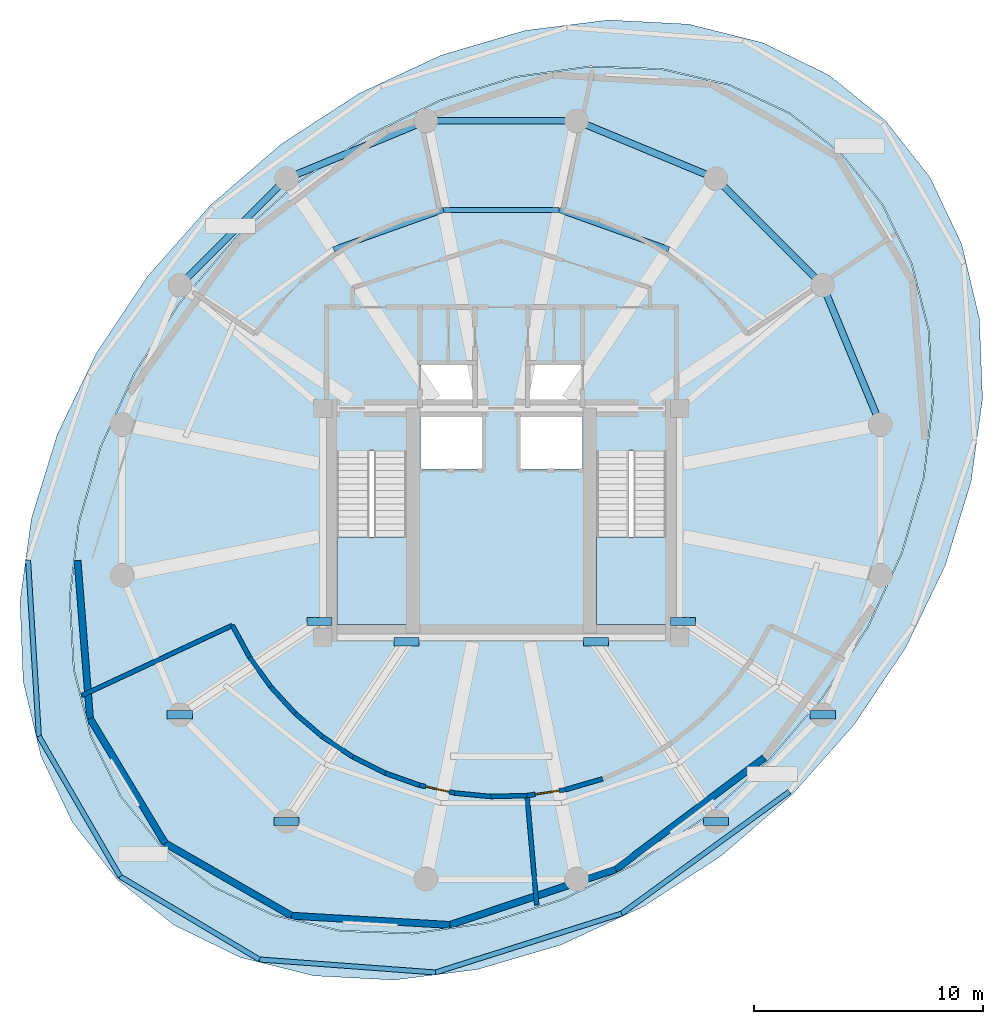
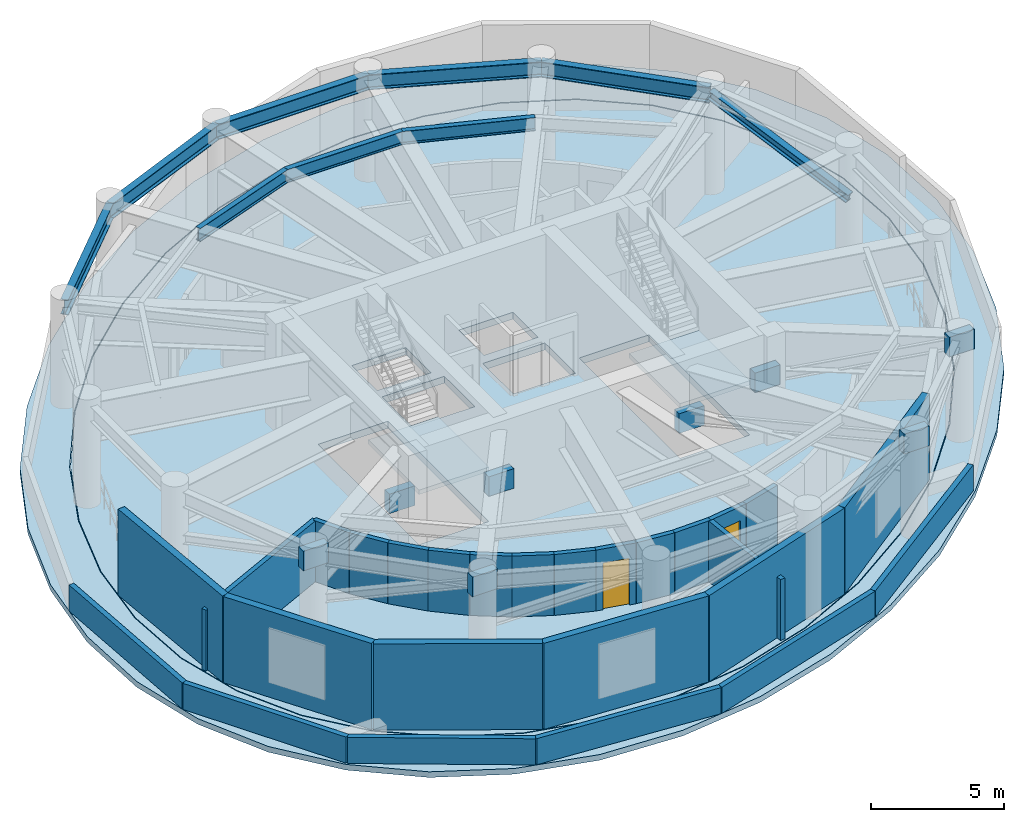
# One storey, part 2 of 6: 26 walls, 8 beams, 8 plates, 4 slabs, 2 doors, 1 member, 2 openings, 2 elements without a shape of their own.
"""IFC4 building model written with IfcOpenShell, lengths in metres."""

from ifc_helpers import new_model, si_unit, direction, frame, frame_2d, origin, origin_2d, place, context, subcontext, project, spatial, polyline, rectangle, i_section, outline, extrude, material, layer, layer_set, material_profile, profile_set, type_object, element, fill, aggregate, save


model = new_model("IFC4")

# Units and contexts
model_context = context("Model", 3, precision=1e-05, world=origin(), true_north=direction((0.0, 1.0)))
body_context = subcontext(model_context, "Body", "Model", "MODEL_VIEW")
ifc_project = project(units=[si_unit("LENGTHUNIT", "METRE"), si_unit("AREAUNIT", "SQUARE_METRE"), si_unit("VOLUMEUNIT", "CUBIC_METRE"), si_unit("PLANEANGLEUNIT", "RADIAN"), si_unit("MASSUNIT", "GRAM", prefix="KILO"), si_unit("THERMODYNAMICTEMPERATUREUNIT", "KELVIN"), si_unit("POWERUNIT", "WATT")], contexts=[model_context])

# Site, building, storey
site_placement = place(None, origin())
site = spatial("IfcSite", under=ifc_project, at=site_placement, CompositionType="ELEMENT")
building_placement = place(site_placement, origin())
building = spatial("IfcBuilding", under=site, at=building_placement, Name="Ocrelia Relay Tower", CompositionType="ELEMENT")
storey_placement = place(building_placement, frame((0.0, 0.0, 220.39990234375)))
storey = spatial("IfcBuildingStorey", under=building, at=storey_placement, Name="L54", CompositionType="ELEMENT", Elevation=220.39990234375)

# Beams
ifc_material_1 = material(Name="Steel S355", Category="steel")
ifc_material_profile_1 = material_profile(ifc_material_1, i_section(OverallWidth=0.300048828125, OverallDepth=0.699951171875, WebThickness=0.01708984375, FlangeThickness=0.031982421875, FilletRadius=0.027099609375, at=origin_2d()), Name="HEB 700")
ifc_profile_set_1 = profile_set([ifc_material_profile_1], Name="Steel S355")
beam_type_1 = type_object("IfcBeamType", Name="BM-HEB700", PredefinedType="BEAM", material=ifc_profile_set_1)
for number, where, z_axis, x_axis, name in (
    (1, (48.0517578125, 35.38916015625, 4.330078125), (-0.707106781187, 0.707106781187, 0.0), (-0.707106781187, -0.707106781187, 0.0), "L54 Perimeter Spandrel Beam S02"),
    (2, (43.38916015625, 40.0517578125, 4.330078125), (-0.923877844151, 0.382687508402, 0.0), (-0.382687508402, -0.923877844151, 0.0), "L54 Perimeter Spandrel Beam S03"),
):
    element("IfcBeam", number, at=place(storey_placement, frame(where, z_axis=z_axis, x_axis=x_axis)), inside=storey, type_object=beam_type_1, Name=name, PredefinedType="BEAM", context=body_context, shape_type="SweptSolid", body=[
        extrude(i_section(OverallWidth=0.300048828125, OverallDepth=0.699951171875, WebThickness=0.01708984375, FlangeThickness=0.031982421875, FilletRadius=0.027099609375, at=origin_2d()), origin(), (0.0, 0.0, 1.0), 6.593994140625),
    ])
beam_1_placement = place(storey_placement, frame((37.297119140625, 42.5751953125, 4.330078125), z_axis=(-1.0, 0.0, 0.0), x_axis=(0.0, -1.0, 0.0)))
element("IfcBeam", 3, at=beam_1_placement, inside=storey, type_object=beam_type_1, Name="L54 Perimeter Spandrel Beam S04", PredefinedType="BEAM", context=body_context, shape_type="SweptSolid", body=[
    extrude(i_section(OverallWidth=0.300048828125, OverallDepth=0.699951171875, WebThickness=0.01708984375, FlangeThickness=0.031982421875, FilletRadius=0.027099609375, at=origin_2d()), origin(), (0.0, 0.0, 1.0), 6.59423828125),
])
for number, where, z_axis, x_axis, name in (
    (4, (30.702880859375, 42.5751953125, 4.330078125), (-0.923877844151, -0.382687508402, 0.0), (0.382687508402, -0.923877844151, 0.0), "L54 Perimeter Spandrel Beam S05"),
    (5, (24.61083984375, 40.0517578125, 4.330078125), (-0.707106781187, -0.707106781187, 0.0), (0.707106781187, -0.707106781187, 0.0), "L54 Perimeter Spandrel Beam S06"),
):
    element("IfcBeam", number, at=place(storey_placement, frame(where, z_axis=z_axis, x_axis=x_axis)), inside=storey, type_object=beam_type_1, Name=name, PredefinedType="BEAM", context=body_context, shape_type="SweptSolid", body=[
        extrude(i_section(OverallWidth=0.300048828125, OverallDepth=0.699951171875, WebThickness=0.01708984375, FlangeThickness=0.031982421875, FilletRadius=0.027099609375, at=origin_2d()), origin(), (0.0, 0.0, 1.0), 6.593994140625),
    ])
ifc_material_profile_2 = material_profile(ifc_material_1, i_section(OverallWidth=0.219970703125, OverallDepth=0.60009765625, WebThickness=0.011962890625, FlangeThickness=0.01904296875, FilletRadius=0.02392578125, at=origin_2d()), Name="IPE 600")
ifc_profile_set_2 = profile_set([ifc_material_profile_2], Name="Steel S355")
beam_type_2 = type_object("IfcBeamType", Name="BM-IPE600", PredefinedType="JOIST", material=ifc_profile_set_2)
beam_2_placement = place(storey_placement, frame((41.325439453125, 36.963134765625, 4.380126953125), z_axis=(-0.941708337696, 0.336430389106, 0.0), x_axis=(-0.336430389106, -0.941708337696, 0.0)))
element("IfcBeam", 6, at=beam_2_placement, inside=storey, type_object=beam_type_2, Name="L54 Secondary Floor Joist J03", PredefinedType="JOIST", context=body_context, shape_type="SweptSolid", body=[
    extrude(i_section(OverallWidth=0.219970703125, OverallDepth=0.60009765625, WebThickness=0.011962890625, FlangeThickness=0.01904296875, FilletRadius=0.02392578125, at=origin_2d()), origin(), (0.0, 0.0, 1.0), 5.100830078125),
])
beam_3_placement = place(storey_placement, frame((36.52197265625, 38.67919921875, 4.380126953125), z_axis=(-1.0, 0.0, 0.0), x_axis=(0.0, -1.0, 0.0)))
element("IfcBeam", 7, at=beam_3_placement, inside=storey, type_object=beam_type_2, Name="L54 Secondary Floor Joist J04", PredefinedType="JOIST", context=body_context, shape_type="SweptSolid", body=[
    extrude(i_section(OverallWidth=0.219970703125, OverallDepth=0.60009765625, WebThickness=0.011962890625, FlangeThickness=0.01904296875, FilletRadius=0.02392578125, at=origin_2d()), origin(), (0.0, 0.0, 1.0), 5.0439453125),
])
beam_4_placement = place(storey_placement, frame((31.47802734375, 38.67919921875, 4.380126953125), z_axis=(-0.941708337696, -0.336430389106, 0.0), x_axis=(0.336430389106, -0.941708337696, 0.0)))
element("IfcBeam", 8, at=beam_4_placement, inside=storey, type_object=beam_type_2, Name="L54 Secondary Floor Joist J05", PredefinedType="JOIST", context=body_context, shape_type="SweptSolid", body=[
    extrude(i_section(OverallWidth=0.219970703125, OverallDepth=0.60009765625, WebThickness=0.011962890625, FlangeThickness=0.01904296875, FilletRadius=0.02392578125, at=origin_2d()), origin(), (0.0, 0.0, 1.0), 5.100830078125),
])

# Member
ifc_material_profile_3 = material_profile(ifc_material_1, i_section(OverallWidth=0.300048828125, OverallDepth=0.39990234375, WebThickness=0.013427734375, FlangeThickness=0.02392578125, FilletRadius=0.027099609375, at=origin_2d()), Name="HEB 400")
ifc_profile_set_3 = profile_set([ifc_material_profile_3], Name="Steel S355")
member_type = type_object("IfcMemberType", Name="MB-BELT-DIAG", PredefinedType="BRACE", material=ifc_profile_set_3)
member_placement = place(storey_placement, frame((50.5751953125, 29.297119140625, 2.35009765625), z_axis=(-0.366520857881, 0.88484858424, 0.287585541546), x_axis=(-0.923877844151, -0.382687508402, 0.0)))
element("IfcMember", 9, at=member_placement, inside=storey, type_object=member_type, Name="L54 Perimeter Belt Truss Diagonal B01", PredefinedType="BRACE", context=body_context, shape_type="SweptSolid", body=[
    extrude(i_section(OverallWidth=0.300048828125, OverallDepth=0.39990234375, WebThickness=0.013427734375, FlangeThickness=0.02392578125, FilletRadius=0.027099609375, at=origin_2d()), origin(), (0.0, 0.0, 1.0), 6.884765625),
])

# Plates
ifc_layer_1 = layer(ifc_material_1, 0.035888671875, Name="Steel S355")
ifc_layer_set_1 = layer_set([ifc_layer_1], Name="Steel S355")
plate_type = type_object("IfcPlateType", Name="PL-NODE-ND-05", PredefinedType="USERDEFINED", material=ifc_layer_set_1)
for number, where, z_axis, x_axis, name in (
    (10, (19.9482421875, 16.61083984375, 3.880126953125), (0.0, 0.0, 1.0), (1.0, 0.0, 0.0), "L54 Outrigger Gusset Node ND-05 (10)"),
    (11, (26.050048828125, 20.68798828125, 1.900146484375), (0.0, 0.0, 1.0), (1.0, 0.0, 0.0), "L54 Outrigger Core Embed Node ND-05 (10)"),
    (12, (24.61083984375, 11.9482421875, 3.880126953125), (0.0, 0.0, 1.0), (1.0, 0.0, 0.0), "L54 Outrigger Gusset Node ND-05 (11)"),
    (13, (29.857421875, 19.800048828125, 1.900146484375), (0.0, 0.0, 1.0), (1.0, 0.0, 0.0), "L54 Outrigger Core Embed Node ND-05 (11)"),
    (14, (43.38916015625, 11.9482421875, 3.880126953125), (0.0, 0.0, 1.0), (1.0, 0.0, 0.0), "L54 Outrigger Gusset Node ND-05 (14)"),
    (15, (38.142578125, 19.800048828125, 1.900146484375), (0.0, 0.0, 1.0), (1.0, 0.0, 0.0), "L54 Outrigger Core Embed Node ND-05 (14)"),
    (16, (48.0517578125, 16.61083984375, 3.880126953125), (0.0, 0.0, 1.0), (1.0, 0.0, 0.0), "L54 Outrigger Gusset Node ND-05 (15)"),
    (17, (41.949951171875, 20.68798828125, 1.900146484375), (0.0, 0.0, 1.0), (1.0, 0.0, 0.0), "L54 Outrigger Core Embed Node ND-05 (15)"),
):
    element("IfcPlate", number, at=place(storey_placement, frame(where, z_axis=z_axis, x_axis=x_axis)), inside=storey, type_object=plate_type, Name=name, ObjectType="GUSSET PLATE", PredefinedType="USERDEFINED", context=body_context, shape_type="SweptSolid", body=[
        extrude(rectangle(XDim=1.10009765625, YDim=0.360107421875, at=origin_2d()), origin(), (0.0, 0.0, 1.0), 0.89990234375),
    ])

# Slab
ifc_material_2 = material(Name="Concrete C50/60", Category="concrete")
ifc_layer_2 = layer(ifc_material_2, 0.320068359375, Name="Concrete C50/60")
ifc_layer_set_2 = layer_set([ifc_layer_2], Name="Concrete C50/60")
slab_type_1 = type_object("IfcSlabType", Name="SL-FLR-320", PredefinedType="FLOOR", material=ifc_layer_set_2)
slab_1_placement = place(storey_placement, frame((0.0, 0.0, -0.31982421875)))
element("IfcSlab", 18, at=slab_1_placement, inside=storey, type_object=slab_type_1, Name="L54 Elliptical Tower Floor Slab", PredefinedType="FLOOR", context=body_context, shape_type="SweptSolid", body=[
    extrude(outline(polyline([(48.8330078125, 41.146728515625), (46.585205078125, 42.897216796875), (43.955078125, 44.1337890625), (41.022705078125, 44.81982421875), (37.876708984375, 44.933837890625), (34.613037109375, 44.47265625), (31.330810546875, 43.449951171875), (28.129638671875, 41.897216796875), (25.106689453125, 39.861572265625), (22.35400390625, 37.404541015625), (19.955322265625, 34.60107421875), (17.9833984375, 31.5361328125), (16.497802734375, 28.30322265625), (15.544189453125, 25.000244140625), (15.151611328125, 21.7275390625), (15.331298828125, 18.584716796875), (16.07861328125, 15.667236328125), (17.3701171875, 13.063720703125), (19.1669921875, 10.853271484375), (21.414794921875, 9.102783203125), (24.044921875, 7.8662109375), (26.977294921875, 7.18017578125), (30.123291015625, 7.066162109375), (33.386962890625, 7.52734375), (36.669189453125, 8.550048828125), (39.870361328125, 10.102783203125), (42.893310546875, 12.138427734375), (45.64599609375, 14.595458984375), (48.044677734375, 17.39892578125), (50.0166015625, 20.4638671875), (51.502197265625, 23.69677734375), (52.455810546875, 26.999755859375), (52.848388671875, 30.2724609375), (52.668701171875, 33.415283203125), (51.92138671875, 36.332763671875), (50.6298828125, 38.936279296875), (48.8330078125, 41.146728515625)]), holes=[polyline([(26.81005859375, 28.14990234375), (26.81005859375, 20.550048828125), (29.85009765625, 20.550048828125), (29.85009765625, 28.14990234375), (26.81005859375, 28.14990234375)]), polyline([(38.159912109375, 28.14990234375), (38.159912109375, 20.550048828125), (41.199951171875, 20.550048828125), (41.199951171875, 28.14990234375), (38.159912109375, 28.14990234375)]), polyline([(30.4599609375, 27.35009765625), (33.159912109375, 27.35009765625), (33.159912109375, 29.64990234375), (30.4599609375, 29.64990234375), (30.4599609375, 27.35009765625)]), polyline([(34.840087890625, 27.35009765625), (37.5400390625, 27.35009765625), (37.5400390625, 29.64990234375), (34.840087890625, 29.64990234375), (34.840087890625, 27.35009765625)]), polyline([(30.5, 30.10009765625), (32.85009765625, 30.10009765625), (32.85009765625, 32.0), (30.5, 32.0), (30.5, 30.10009765625)]), polyline([(35.14990234375, 30.10009765625), (37.5, 30.10009765625), (37.5, 32.0), (35.14990234375, 32.0), (35.14990234375, 30.10009765625)])]), origin(), (0.0, 0.0, 1.0), 0.31982421875),
])

# Stair, slab
stair_type = type_object("IfcStairType", Name="ST-DL-1420-R179", PredefinedType="HALF_TURN_STAIR", material=ifc_material_2)
stair_1_placement = place(storey_placement, origin())
stair_1 = element("IfcStair", 19, at=stair_1_placement, inside=storey, type_object=stair_type, Name="L54 West Core Exit Stair ST1", PredefinedType="HALF_TURN_STAIR")
ifc_layer_3 = layer(ifc_material_2, 0.199951171875, Name="Concrete C50/60")
ifc_layer_set_3 = layer_set([ifc_layer_3], Name="Concrete C50/60")
slab_type_2 = type_object("IfcSlabType", Name="SL-LANDING-200", PredefinedType="LANDING", material=ifc_layer_set_3)
slab_2_placement = place(storey_placement, frame((0.0, 0.0, 2.300048828125)))
slab_2 = element("IfcSlab", 20, at=slab_2_placement, type_object=slab_type_2, Name="ST1 landing 1", PredefinedType="LANDING", context=body_context, shape_type="SweptSolid", body=[
    extrude(outline(polyline([(26.81005859375, 24.3798828125), (26.81005859375, 20.550048828125), (29.85009765625, 20.550048828125), (29.85009765625, 24.3798828125), (26.81005859375, 24.3798828125)])), origin(), (0.0, 0.0, 1.0), 0.199951171875),
])
aggregate(stair_1, [slab_2])

stair_2_placement = place(storey_placement, origin())
stair_2 = element("IfcStair", 21, at=stair_2_placement, inside=storey, type_object=stair_type, Name="L54 East Core Exit Stair ST2", PredefinedType="HALF_TURN_STAIR")
slab_3_placement = place(storey_placement, frame((0.0, 0.0, 2.300048828125)))
slab_3 = element("IfcSlab", 22, at=slab_3_placement, type_object=slab_type_2, Name="ST2 landing 1", PredefinedType="LANDING", context=body_context, shape_type="SweptSolid", body=[
    extrude(outline(polyline([(38.159912109375, 24.3798828125), (38.159912109375, 20.550048828125), (41.199951171875, 20.550048828125), (41.199951171875, 24.3798828125), (38.159912109375, 24.3798828125)])), origin(), (0.0, 0.0, 1.0), 0.199951171875),
])
aggregate(stair_2, [slab_3])

# Slab
ifc_layer_4 = layer(ifc_material_2, 0.260009765625, Name="Concrete C50/60")
ifc_layer_set_4 = layer_set([ifc_layer_4], Name="Concrete C50/60")
slab_type_3 = type_object("IfcSlabType", Name="SL-ROOF-260", PredefinedType="ROOF", material=ifc_layer_set_4)
slab_4_placement = place(storey_placement, frame((0.0, 0.0, -0.260009765625)))
element("IfcSlab", 23, at=slab_4_placement, inside=storey, type_object=slab_type_3, Name="L54 Setback Maintenance Extensive Green Roof Slab", PredefinedType="ROOF", context=body_context, shape_type="SweptSolid", body=[
    extrude(outline(polyline([(50.789306640625, 42.58544921875), (48.325439453125, 44.569580078125), (45.42626953125, 45.9892578125), (42.179931640625, 46.8017578125), (38.68505859375, 46.982177734375), (35.047607421875, 46.52490234375), (31.378662109375, 45.444091796875), (27.789306640625, 43.772705078125), (24.388427734375, 41.56103515625), (21.27978515625, 38.876708984375), (18.5576171875, 35.80078125), (16.3046875, 32.427490234375), (14.58935546875, 28.858642578125), (13.4638671875, 25.203125), (12.962158203125, 21.57177734375), (13.099853515625, 18.07470703125), (13.87255859375, 14.81884765625), (15.2568359375, 11.902587890625), (17.210693359375, 9.41455078125), (19.674560546875, 7.430419921875), (22.57373046875, 6.0107421875), (25.820068359375, 5.1982421875), (29.31494140625, 5.017822265625), (32.952392578125, 5.47509765625), (36.621337890625, 6.555908203125), (40.210693359375, 8.227294921875), (43.611572265625, 10.43896484375), (46.72021484375, 13.123291015625), (49.4423828125, 16.19921875), (51.6953125, 19.572509765625), (53.41064453125, 23.141357421875), (54.5361328125, 26.796875), (55.037841796875, 30.42822265625), (54.900146484375, 33.92529296875), (54.12744140625, 37.18115234375), (52.7431640625, 40.097412109375), (50.789306640625, 42.58544921875)]), holes=[polyline([(48.85400390625, 41.168212890625), (46.602294921875, 42.921875), (43.967529296875, 44.1611328125), (41.030029296875, 44.848876953125), (37.879150390625, 44.963623046875), (34.610107421875, 44.50244140625), (31.32275390625, 43.47900390625), (28.11669921875, 41.92431640625), (25.08935546875, 39.885986328125), (22.332763671875, 37.425537109375), (19.9306640625, 34.617919921875), (17.9560546875, 31.548583984375), (16.468994140625, 28.310546875), (15.514404296875, 25.00244140625), (15.12158203125, 21.724609375), (15.302490234375, 18.57666015625), (16.051513671875, 15.654296875), (17.345703125, 13.046142578125), (19.14599609375, 10.831787109375), (21.397705078125, 9.078125), (24.032470703125, 7.8388671875), (26.969970703125, 7.151123046875), (30.120849609375, 7.036376953125), (33.389892578125, 7.49755859375), (36.67724609375, 8.52099609375), (39.88330078125, 10.07568359375), (42.91064453125, 12.114013671875), (45.667236328125, 14.574462890625), (48.0693359375, 17.382080078125), (50.0439453125, 20.451416015625), (51.531005859375, 23.689453125), (52.485595703125, 26.99755859375), (52.87841796875, 30.275390625), (52.697509765625, 33.42333984375), (51.948486328125, 36.345703125), (50.654296875, 38.953857421875), (48.85400390625, 41.168212890625)])]), origin(), (0.0, 0.0, 1.0), 0.260009765625),
])

# Walls
ifc_material_3 = material(Name="Precast concrete C40/50 with oxide terracotta", Category="masonry")
ifc_layer_5 = layer(ifc_material_3, 0.300048828125, Name="Precast concrete C40/50 with oxide terracotta")
ifc_layer_set_5 = layer_set([ifc_layer_5], Name="Precast concrete C40/50 with oxide terracotta")
wall_type_1 = type_object("IfcWallType", Name="W-EXT-TERR-300", PredefinedType="SOLIDWALL", material=ifc_layer_set_5)
wall_1_placement = place(storey_placement, frame((15.476806640625, 23.35595703125, 0.0), z_axis=(0.0, 0.0, 1.0), x_axis=(0.078895085656, -0.99688292465, 0.0)))
element("IfcWall", 24, at=wall_1_placement, inside=storey, type_object=wall_type_1, Name="L54 Plant Terracotta Wall 07", PredefinedType="SOLIDWALL", context=body_context, shape_type="SweptSolid", body=[
    extrude(rectangle(XDim=6.928466796875, YDim=0.300048828125, at=frame_2d((3.46435546875, 0.0))), origin(), (0.0, 0.0, 1.0), 3.960205078125),
])
wall_2_placement = place(storey_placement, frame((16.0234375, 16.448974609375, 0.0), z_axis=(0.0, 0.0, 1.0), x_axis=(0.515877001429, -0.856662663711, 0.0)))
element("IfcWall", 25, at=wall_2_placement, inside=storey, type_object=wall_type_1, Name="L54 Plant Terracotta Wall 08", PredefinedType="SOLIDWALL", context=body_context, shape_type="SweptSolid", body=[
    extrude(rectangle(XDim=6.365234375, YDim=0.300048828125, at=frame_2d((3.1826171875, 0.0))), origin(), (0.0, 0.0, 1.0), 3.960205078125),
])
wall_3_placement = place(storey_placement, frame((19.30712890625, 10.99609375, 0.0), z_axis=(0.0, 0.0, 1.0), x_axis=(0.867276097865, -0.497827450099, 0.0)))
element("IfcWall", 26, at=wall_3_placement, inside=storey, type_object=wall_type_1, Name="L54 Plant Terracotta Wall 09", PredefinedType="SOLIDWALL", context=body_context, shape_type="SweptSolid", body=[
    extrude(rectangle(XDim=6.364990234375, YDim=0.300048828125, at=frame_2d((3.1826171875, 0.0))), origin(), (0.0, 0.0, 1.0), 3.960205078125),
])
wall_4_placement = place(storey_placement, frame((24.827392578125, 7.827392578125, 0.0), z_axis=(0.0, 0.0, 1.0), x_axis=(0.998314597189, -0.058034171311, 0.0)))
element("IfcWall", 27, at=wall_4_placement, inside=storey, type_object=wall_type_1, Name="L54 Plant Terracotta Wall 10", PredefinedType="SOLIDWALL", context=body_context, shape_type="SweptSolid", body=[
    extrude(rectangle(XDim=6.9287109375, YDim=0.300048828125, at=frame_2d((3.46435546875, 0.0))), origin(), (0.0, 0.0, 1.0), 3.960205078125),
])
wall_5_placement = place(storey_placement, frame((31.744384765625, 7.42529296875, 0.0), z_axis=(0.0, 0.0, 1.0), x_axis=(0.948459804555, 0.316897458405, 0.0)))
element("IfcWall", 28, at=wall_5_placement, inside=storey, type_object=wall_type_1, Name="L54 Plant Terracotta Wall 11", PredefinedType="SOLIDWALL", context=body_context, shape_type="SweptSolid", body=[
    extrude(rectangle(XDim=7.65478515625, YDim=0.300048828125, at=frame_2d((3.827392578125, 0.0))), origin(), (0.0, 0.0, 1.0), 3.960205078125),
])
wall_6_placement = place(storey_placement, frame((39.004638671875, 9.85107421875, 0.0), z_axis=(0.0, 0.0, 1.0), x_axis=(0.799376092576, 0.600830976747, 0.0)))
element("IfcWall", 29, at=wall_6_placement, inside=storey, type_object=wall_type_1, Name="L54 Plant Terracotta Wall 12", PredefinedType="SOLIDWALL", context=body_context, shape_type="SweptSolid", body=[
    extrude(rectangle(XDim=8.129150390625, YDim=0.300048828125, at=frame_2d((4.064453125, 0.0))), origin(), (0.0, 0.0, 1.0), 3.960205078125),
])
ifc_layer_6 = layer(ifc_material_3, 0.219970703125, Name="Precast concrete C40/50 with oxide terracotta")
ifc_layer_set_6 = layer_set([ifc_layer_6], Name="Precast concrete C40/50 with oxide terracotta")
wall_type_2 = type_object("IfcWallType", Name="W-PARAPET-220", PredefinedType="PARAPET", material=ifc_layer_set_6)
wall_7_placement = place(storey_placement, frame((13.313720703125, 23.376220703125, 0.0), z_axis=(0.0, 0.0, 1.0), x_axis=(0.061397543648, -0.998113391171, 0.0)))
element("IfcWall", 30, at=wall_7_placement, inside=storey, type_object=wall_type_2, Name="L54 Setback Green Roof Parapet 07", PredefinedType="PARAPET", context=body_context, shape_type="SweptSolid", body=[
    extrude(rectangle(XDim=7.71826171875, YDim=0.219970703125, at=frame_2d((3.859130859375, 0.0))), origin(), (0.0, 0.0, 1.0), 1.2001953125),
])
for number, where, z_axis, x_axis, name in (
    (31, (13.78759765625, 15.672607421875, 0.0), (0.0, 0.0, 1.0), (0.50115850473, -0.865355506793, 0.0), "L54 Setback Green Roof Parapet 08"),
    (32, (17.338623046875, 9.541015625, 0.0), (0.0, 0.0, 1.0), (0.859169548372, -0.511691007494, 0.0), "L54 Setback Green Roof Parapet 09"),
):
    element("IfcWall", number, at=place(storey_placement, frame(where, z_axis=z_axis, x_axis=x_axis)), inside=storey, type_object=wall_type_2, Name=name, PredefinedType="PARAPET", context=body_context, shape_type="SweptSolid", body=[
        extrude(rectangle(XDim=7.085693359375, YDim=0.219970703125, at=frame_2d((3.54296875, 0.0))), origin(), (0.0, 0.0, 1.0), 1.2001953125),
    ])
wall_8_placement = place(storey_placement, frame((23.426513671875, 5.915283203125, 0.0), z_axis=(0.0, 0.0, 1.0), x_axis=(0.997287311247, -0.073607192758, 0.0)))
element("IfcWall", 33, at=wall_8_placement, inside=storey, type_object=wall_type_2, Name="L54 Setback Green Roof Parapet 10", PredefinedType="PARAPET", context=body_context, shape_type="SweptSolid", body=[
    extrude(rectangle(XDim=7.71826171875, YDim=0.219970703125, at=frame_2d((3.859130859375, 0.0))), origin(), (0.0, 0.0, 1.0), 1.2001953125),
])
wall_9_placement = place(storey_placement, frame((31.123779296875, 5.34716796875, 0.0), z_axis=(0.0, 0.0, 1.0), x_axis=(0.953341950879, 0.301892571445, 0.0)))
element("IfcWall", 34, at=wall_9_placement, inside=storey, type_object=wall_type_2, Name="L54 Setback Green Roof Parapet 11", PredefinedType="PARAPET", context=body_context, shape_type="SweptSolid", body=[
    extrude(rectangle(XDim=8.533447265625, YDim=0.219970703125, at=frame_2d((4.2666015625, 0.0))), origin(), (0.0, 0.0, 1.0), 1.2001953125),
])
wall_10_placement = place(storey_placement, frame((39.259033203125, 7.92333984375, 0.0), z_axis=(0.0, 0.0, 1.0), x_axis=(0.809062033005, 0.587723256942, 0.0)))
element("IfcWall", 35, at=wall_10_placement, inside=storey, type_object=wall_type_2, Name="L54 Setback Green Roof Parapet 12", PredefinedType="PARAPET", context=body_context, shape_type="SweptSolid", body=[
    extrude(rectangle(XDim=9.065673828125, YDim=0.219970703125, at=frame_2d((4.53271484375, 0.0))), origin(), (0.0, 0.0, 1.0), 1.2001953125),
])
ifc_layer_7 = layer(ifc_material_2, 0.199951171875, Name="Concrete C50/60")
ifc_layer_set_7 = layer_set([ifc_layer_7], Name="Concrete C50/60")
wall_type_3 = type_object("IfcWallType", Name="W-SHAFT-EI120-200", PredefinedType="SOLIDWALL", material=ifc_layer_set_7)
wall_11_placement = place(storey_placement, frame((35.13037109375, 13.079345703125, 0.0), z_axis=(0.0, 0.0, 1.0), x_axis=(-0.999656475273, -0.026209377051, 0.0)))
element("IfcWall", 36, at=wall_11_placement, inside=storey, type_object=wall_type_3, Name="L54 Upper Chilled Water Plant Room Inner Wall 11", PredefinedType="SOLIDWALL", context=body_context, shape_type="SweptSolid", body=[
    extrude(rectangle(XDim=1.58349609375, YDim=0.199951171875, at=frame_2d((0.791748046875, 0.0))), origin(), (0.0, 0.0, 1.0), 2.800048828125),
])
wall_12_placement = place(storey_placement, frame((33.54736328125, 13.037841796875, 0.0), z_axis=(0.0, 0.0, 1.0), x_axis=(-0.995392349908, 0.095885711885, 0.0)))
element("IfcWall", 37, at=wall_12_placement, inside=storey, type_object=wall_type_3, Name="L54 Upper Chilled Water Plant Room Inner Wall 12", PredefinedType="SOLIDWALL", context=body_context, shape_type="SweptSolid", body=[
    extrude(rectangle(XDim=1.583740234375, YDim=0.199951171875, at=frame_2d((0.7919921875, 0.0))), origin(), (0.0, 0.0, 1.0), 2.800048828125),
])

# Wall, opening, door
wall_13_placement = place(storey_placement, frame((31.970947265625, 13.189697265625, 0.0), z_axis=(0.0, 0.0, 1.0), x_axis=(-0.976288532735, 0.216473325957, 0.0)))
wall_13 = element("IfcWall", 38, at=wall_13_placement, inside=storey, type_object=wall_type_3, Name="L54 Upper Chilled Water Plant Room Inner Wall 13", PredefinedType="SOLIDWALL", context=body_context, shape_type="SweptSolid", body=[
    extrude(rectangle(XDim=1.58349609375, YDim=0.199951171875, at=frame_2d((0.791748046875, 0.0))), origin(), (0.0, 0.0, 1.0), 2.800048828125),
])
opening_1_placement = place(wall_13_placement, frame((0.25830078125, 0.0, 0.0)))
opening_1 = element("IfcOpeningElement", 39, at=opening_1_placement, cuts=wall_13, Name="Opening D-FD90", PredefinedType="OPENING", context=body_context, shape_type="SweptSolid", body=[
    extrude(rectangle(XDim=1.050048828125, YDim=2.14990234375, at=frame_2d((0.52490234375, 1.074951171875))), frame((0.0, 0.10986328125, 0.0), z_axis=(0.0, -1.0, 0.0), x_axis=(1.0, 0.0, 0.0)), (0.0, 0.0, 1.0), 0.219970703125),
])
ifc_material_4 = material(Name="Steel S355 90-min fire door", Category="steel")
door_type = type_object("IfcDoorType", Name="DR-STAIR-FD90-1050", OperationType="NOTDEFINED", PredefinedType="DOOR", material=ifc_material_4)
door_1_placement = place(opening_1_placement, origin())
door_1 = element("IfcDoor", 40, at=door_1_placement, inside=storey, type_object=door_type, Name="L54 Upper Chilled Water Plant Room Fire Door", OperationType="SINGLE_SWING_RIGHT", OverallHeight=2.14990234375, OverallWidth=1.050048828125, PredefinedType="DOOR", context=body_context, shape_type="SweptSolid", body=[
    extrude(rectangle(XDim=1.050048828125, YDim=2.14990234375, at=frame_2d((0.52490234375, 1.074951171875))), frame((0.0, 0.02490234375, 0.0), z_axis=(0.0, -1.0, 0.0), x_axis=(1.0, 0.0, 0.0)), (0.0, 0.0, 1.0), 0.050048828125),
])
fill(opening_1, door_1)

# Walls
wall_14_placement = place(storey_placement, frame((30.425048828125, 13.532470703125, 0.0), z_axis=(0.0, 0.0, 1.0), x_axis=(-0.942662593063, 0.33374726312, 0.0)))
element("IfcWall", 41, at=wall_14_placement, inside=storey, type_object=wall_type_3, Name="L54 Upper Chilled Water Plant Room Inner Wall 14", PredefinedType="SOLIDWALL", context=body_context, shape_type="SweptSolid", body=[
    extrude(rectangle(XDim=1.583740234375, YDim=0.199951171875, at=frame_2d((0.7919921875, 0.0))), origin(), (0.0, 0.0, 1.0), 2.800048828125),
])
for number, where, z_axis, x_axis, name in (
    (42, (28.93212890625, 14.06103515625, 0.0), (0.0, 0.0, 1.0), (-0.894950751048, 0.446164939454, 0.0), "L54 Upper Chilled Water Plant Room Inner Wall 15"),
    (43, (27.514892578125, 14.767578125, 0.0), (0.0, 0.0, 1.0), (-0.833848713435, 0.551993046246, 0.0), "L54 Upper Chilled Water Plant Room Inner Wall 16"),
):
    element("IfcWall", number, at=place(storey_placement, frame(where, z_axis=z_axis, x_axis=x_axis)), inside=storey, type_object=wall_type_3, Name=name, PredefinedType="SOLIDWALL", context=body_context, shape_type="SweptSolid", body=[
        extrude(rectangle(XDim=1.58349609375, YDim=0.199951171875, at=frame_2d((0.791748046875, 0.0))), origin(), (0.0, 0.0, 1.0), 2.800048828125),
    ])
wall_15_placement = place(storey_placement, frame((26.194580078125, 15.6416015625, 0.0), z_axis=(0.0, 0.0, 1.0), x_axis=(-0.760419669712, 0.649432002534, 0.0)))
element("IfcWall", 44, at=wall_15_placement, inside=storey, type_object=wall_type_3, Name="L54 Upper Chilled Water Plant Room Inner Wall 17", PredefinedType="SOLIDWALL", context=body_context, shape_type="SweptSolid", body=[
    extrude(rectangle(XDim=1.583740234375, YDim=0.199951171875, at=frame_2d((0.7919921875, 0.0))), origin(), (0.0, 0.0, 1.0), 2.800048828125),
])
wall_16_placement = place(storey_placement, frame((24.990234375, 16.670166015625, 0.0), z_axis=(0.0, 0.0, 1.0), x_axis=(-0.675598950766, 0.737269325094, 0.0)))
element("IfcWall", 45, at=wall_16_placement, inside=storey, type_object=wall_type_3, Name="L54 Upper Chilled Water Plant Room Inner Wall 18", PredefinedType="SOLIDWALL", context=body_context, shape_type="SweptSolid", body=[
    extrude(rectangle(XDim=1.58349609375, YDim=0.199951171875, at=frame_2d((0.791748046875, 0.0))), origin(), (0.0, 0.0, 1.0), 2.800048828125),
])
wall_17_placement = place(storey_placement, frame((23.92041015625, 17.837646484375, 0.0), z_axis=(0.0, 0.0, 1.0), x_axis=(-0.580713102352, 0.814108280732, 0.0)))
element("IfcWall", 46, at=wall_17_placement, inside=storey, type_object=wall_type_3, Name="L54 Upper Chilled Water Plant Room Inner Wall 19", PredefinedType="SOLIDWALL", context=body_context, shape_type="SweptSolid", body=[
    extrude(rectangle(XDim=1.583740234375, YDim=0.199951171875, at=frame_2d((0.7919921875, 0.0))), origin(), (0.0, 0.0, 1.0), 2.800048828125),
])
wall_18_placement = place(storey_placement, frame((23.000732421875, 19.126953125, 0.0), z_axis=(0.0, 0.0, 1.0), x_axis=(-0.477176920331, 0.878807252305, 0.0)))
element("IfcWall", 47, at=wall_18_placement, inside=storey, type_object=wall_type_3, Name="L54 Upper Chilled Water Plant Room Inner Wall 20", PredefinedType="SOLIDWALL", context=body_context, shape_type="SweptSolid", body=[
    extrude(rectangle(XDim=1.58349609375, YDim=0.199951171875, at=frame_2d((0.791748046875, 0.0))), origin(), (0.0, 0.0, 1.0), 2.800048828125),
])
wall_19_placement = place(storey_placement, frame((22.2451171875, 20.5185546875, 0.0), z_axis=(0.0, 0.0, 1.0), x_axis=(-0.906311945762, -0.422609343212, 0.0)))
element("IfcWall", 48, at=wall_19_placement, inside=storey, type_object=wall_type_3, Name="L54 Upper Chilled Water Plant Room Radial Wall R0", PredefinedType="SOLIDWALL", context=body_context, shape_type="SweptSolid", body=[
    extrude(rectangle(XDim=7.260986328125, YDim=0.199951171875, at=frame_2d((3.63037109375, 0.0))), origin(), (0.0, 0.0, 1.0), 2.800048828125),
])
wall_20_placement = place(storey_placement, frame((35.13037109375, 13.079345703125, 0.0), z_axis=(0.0, 0.0, 1.0), x_axis=(0.087179547413, -0.996192615167, 0.0)))
element("IfcWall", 49, at=wall_20_placement, inside=storey, type_object=wall_type_3, Name="L54 Upper Chilled Water Plant Room Radial Wall R1", PredefinedType="SOLIDWALL", context=body_context, shape_type="SweptSolid", body=[
    extrude(rectangle(XDim=4.808349609375, YDim=0.199951171875, at=frame_2d((2.404296875, 0.0))), origin(), (0.0, 0.0, 1.0), 2.800048828125),
])
wall_21_placement = place(storey_placement, frame((38.43603515625, 13.812255859375, 0.0), z_axis=(0.0, 0.0, 1.0), x_axis=(-0.960038668658, -0.279867387671, 0.0)))
element("IfcWall", 50, at=wall_21_placement, inside=storey, type_object=wall_type_3, Name="L54 High-Altitude Air Handling Plant Room Inner Wall 15", PredefinedType="SOLIDWALL", context=body_context, shape_type="SweptSolid", body=[
    extrude(rectangle(XDim=1.69677734375, YDim=0.199951171875, at=frame_2d((0.848388671875, 0.0))), origin(), (0.0, 0.0, 1.0), 2.800048828125),
])

# Wall, opening, door
wall_22_placement = place(storey_placement, frame((36.80712890625, 13.33740234375, 0.0), z_axis=(0.0, 0.0, 1.0), x_axis=(-0.988363377763, -0.152111253683, 0.0)))
wall_22 = element("IfcWall", 51, at=wall_22_placement, inside=storey, type_object=wall_type_3, Name="L54 High-Altitude Air Handling Plant Room Inner Wall 16", PredefinedType="SOLIDWALL", context=body_context, shape_type="SweptSolid", body=[
    extrude(rectangle(XDim=1.696533203125, YDim=0.199951171875, at=frame_2d((0.84814453125, 0.0))), origin(), (0.0, 0.0, 1.0), 2.800048828125),
])
opening_2_placement = place(wall_22_placement, frame((0.28662109375, 0.0, 0.0)))
opening_2 = element("IfcOpeningElement", 52, at=opening_2_placement, cuts=wall_22, Name="Opening D-FD90", PredefinedType="OPENING", context=body_context, shape_type="SweptSolid", body=[
    extrude(rectangle(XDim=1.050048828125, YDim=2.14990234375, at=frame_2d((0.52490234375, 1.074951171875))), frame((0.0, 0.10986328125, 0.0), z_axis=(0.0, -1.0, 0.0), x_axis=(1.0, 0.0, 0.0)), (0.0, 0.0, 1.0), 0.219970703125),
])
door_2_placement = place(opening_2_placement, origin())
door_2 = element("IfcDoor", 53, at=door_2_placement, inside=storey, type_object=door_type, Name="L54 High-Altitude Air Handling Plant Room Fire Door", OperationType="SINGLE_SWING_LEFT", OverallHeight=2.14990234375, OverallWidth=1.050048828125, PredefinedType="DOOR", context=body_context, shape_type="SweptSolid", body=[
    extrude(rectangle(XDim=1.050048828125, YDim=2.14990234375, at=frame_2d((0.52490234375, 1.074951171875))), frame((0.0, 0.02490234375, 0.0), z_axis=(0.0, -1.0, 0.0), x_axis=(1.0, 0.0, 0.0)), (0.0, 0.0, 1.0), 0.050048828125),
])
fill(opening_2, door_2)

save(model, "model.ifc")
